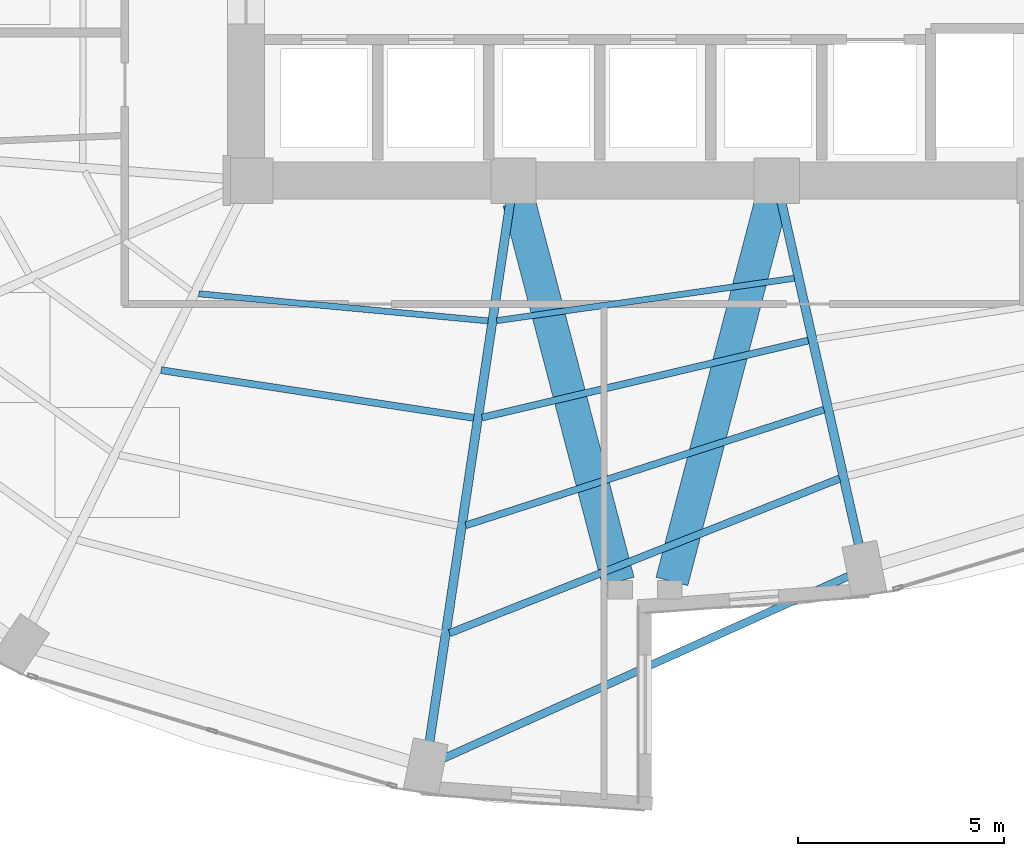
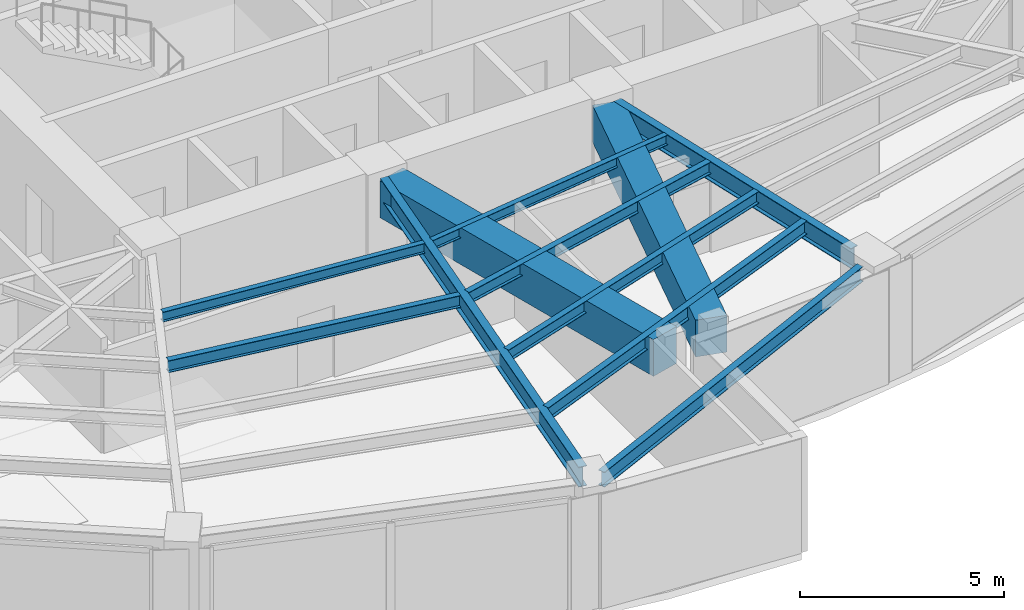
# One storey, part 6 of 24: 11 beams.
"""IFC4 building model written with IfcOpenShell, lengths in metres."""

from ifc_helpers import new_model, si_unit, direction, frame, origin, origin_2d, place, context, subcontext, project, spatial, rectangle, i_section, extrude, material, material_profile, profile_set, type_object, element, save


model = new_model("IFC4")

# Units and contexts
model_context = context("Model", 3, precision=1e-05, world=origin(), true_north=direction((0.0, 1.0)))
body_context = subcontext(model_context, "Body", "Model", "MODEL_VIEW")
ifc_project = project(units=[si_unit("LENGTHUNIT", "METRE"), si_unit("AREAUNIT", "SQUARE_METRE"), si_unit("VOLUMEUNIT", "CUBIC_METRE"), si_unit("PLANEANGLEUNIT", "RADIAN"), si_unit("MASSUNIT", "GRAM", prefix="KILO")], contexts=[model_context])

# Site, building, storey
site_placement = place(None, origin())
site = spatial("IfcSite", under=ifc_project, at=site_placement, CompositionType="ELEMENT")
building_placement = place(site_placement, origin())
building = spatial("IfcBuilding", under=site, at=building_placement, Name="Lazwardi Medical Tower", CompositionType="ELEMENT")
storey_placement = place(building_placement, frame((0.0, 0.0, 39.7919921875)))
storey = spatial("IfcBuildingStorey", under=building, at=storey_placement, Name="L09", CompositionType="ELEMENT", Elevation=39.7919921875)

# Beams
ifc_material_1 = material(Name="Concrete C70/85", Category="concrete")
ifc_material_profile_1 = material_profile(ifc_material_1, rectangle(XDim=0.800048828125, YDim=1.10009765625, at=origin_2d()), Name="RC 800x1100")
ifc_profile_set_1 = profile_set([ifc_material_profile_1], Name="Concrete C70/85")
beam_type_1 = type_object("IfcBeamType", Name="BM-CB-RC1", PredefinedType="LINTEL", material=ifc_profile_set_1)
for number, where, z_axis, x_axis, name in (
    (1, (32.935302734375, 19.88232421875, 2.8779296875), (0.252819877511, -0.967513364009, 0.0), (0.967513364009, 0.252819877511, 0.0), "Core coupling lintel CB-01 PL3 L09"),
    (2, (39.064697265625, 19.88232421875, 2.8779296875), (-0.252819877511, -0.967513364009, 0.0), (0.967513364009, -0.252819877511, 0.0), "Core coupling lintel CB-01 PL4 L09"),
):
    element("IfcBeam", number, at=place(storey_placement, frame(where, z_axis=z_axis, x_axis=x_axis)), inside=storey, type_object=beam_type_1, Name=name, PredefinedType="LINTEL", context=body_context, shape_type="SweptSolid", body=[
        extrude(rectangle(XDim=0.800048828125, YDim=1.10009765625, at=origin_2d()), origin(), (0.0, 0.0, 1.0), 9.538818359375),
    ])
ifc_material_2 = material(Name="Steel S355", Category="steel")
ifc_material_profile_2 = material_profile(ifc_material_2, i_section(OverallWidth=0.219970703125, OverallDepth=0.60009765625, WebThickness=0.011962890625, FlangeThickness=0.01904296875, at=origin_2d()), Name="IPE 600")
ifc_profile_set_2 = profile_set([ifc_material_profile_2], Name="Steel S355")
beam_type_2 = type_object("IfcBeamType", Name="BM-RG-W1", PredefinedType="BEAM", material=ifc_profile_set_2)
beam_1_placement = place(storey_placement, frame((41.203125, 11.521728515625, 3.1279296875), z_axis=(-0.22010079219, 0.975477135189, 0.0), x_axis=(-0.975477135189, -0.22010079219, 0.0)))
element("IfcBeam", 3, at=beam_1_placement, inside=storey, type_object=beam_type_2, Name="Radial girder RG-02 R01 L09", PredefinedType="BEAM", context=body_context, shape_type="SweptSolid", body=[
    extrude(i_section(OverallWidth=0.219970703125, OverallDepth=0.60009765625, WebThickness=0.011962890625, FlangeThickness=0.01904296875, at=origin_2d()), origin(), (0.0, 0.0, 1.0), 8.56640625),
])
beam_2_placement = place(storey_placement, frame((30.7548828125, 6.7294921875, 3.1279296875), z_axis=(0.147944218183, 0.98899570692, 0.0), x_axis=(-0.98899570692, 0.147944218183, 0.0)))
element("IfcBeam", 4, at=beam_2_placement, inside=storey, type_object=beam_type_2, Name="Radial girder RG-02 R16 L09", PredefinedType="BEAM", context=body_context, shape_type="SweptSolid", body=[
    extrude(i_section(OverallWidth=0.219970703125, OverallDepth=0.60009765625, WebThickness=0.011962890625, FlangeThickness=0.01904296875, at=origin_2d()), origin(), (0.0, 0.0, 1.0), 13.28759765625),
])
ifc_material_profile_3 = material_profile(ifc_material_2, i_section(OverallWidth=0.179931640625, OverallDepth=0.39990234375, WebThickness=0.008544921875, FlangeThickness=0.013427734375, at=origin_2d()), Name="IPE 400")
ifc_profile_set_3 = profile_set([ifc_material_profile_3], Name="Steel S355")
beam_type_3 = type_object("IfcBeamType", Name="BM-SJ-01", PredefinedType="JOIST", material=ifc_profile_set_3)
beam_3_placement = place(storey_placement, frame((31.245849609375, 9.396484375, 3.22802734375), z_axis=(0.929663713752, 0.368409255222, 0.0), x_axis=(-0.368409255222, 0.929663713752, 0.0)))
element("IfcBeam", 5, at=beam_3_placement, inside=storey, type_object=beam_type_3, Name="Secondary joist SJ-01 R1 B16 L09", PredefinedType="JOIST", context=body_context, shape_type="SweptSolid", body=[
    extrude(i_section(OverallWidth=0.179931640625, OverallDepth=0.39990234375, WebThickness=0.008544921875, FlangeThickness=0.013427734375, at=origin_2d()), origin(), (0.0, 0.0, 1.0), 10.2001953125),
])
ifc_material_profile_4 = material_profile(ifc_material_2, i_section(OverallWidth=0.169921875, OverallDepth=0.360107421875, WebThickness=0.008056640625, FlangeThickness=0.0126953125, at=origin_2d()), Name="IPE 360")
ifc_profile_set_4 = profile_set([ifc_material_profile_4], Name="Steel S355")
beam_type_4 = type_object("IfcBeamType", Name="BM-SJ-02", PredefinedType="JOIST", material=ifc_profile_set_4)
beam_4_placement = place(storey_placement, frame((31.64111328125, 12.018310546875, 3.248046875), z_axis=(0.951558895485, 0.307466532199, 0.0), x_axis=(-0.307466532199, 0.951558895485, 0.0)))
element("IfcBeam", 6, at=beam_4_placement, inside=storey, type_object=beam_type_4, Name="Secondary joist SJ-02 R2 B16 L09", PredefinedType="JOIST", context=body_context, shape_type="SweptSolid", body=[
    extrude(i_section(OverallWidth=0.169921875, OverallDepth=0.360107421875, WebThickness=0.008056640625, FlangeThickness=0.0126953125, at=origin_2d()), origin(), (0.0, 0.0, 1.0), 9.1513671875),
])
beam_5_placement = place(storey_placement, frame((24.23193359375, 15.790771484375, 3.248046875), z_axis=(0.988535611365, -0.150987897074, 0.0), x_axis=(0.150987897074, 0.988535611365, 0.0)))
element("IfcBeam", 7, at=beam_5_placement, inside=storey, type_object=beam_type_4, Name="Secondary joist SJ-02 R3 B15 L09", PredefinedType="JOIST", context=body_context, shape_type="SweptSolid", body=[
    extrude(i_section(OverallWidth=0.169921875, OverallDepth=0.360107421875, WebThickness=0.008056640625, FlangeThickness=0.0126953125, at=origin_2d()), origin(), (0.0, 0.0, 1.0), 7.68701171875),
])
beam_6_placement = place(storey_placement, frame((32.03662109375, 14.638427734375, 3.248046875), z_axis=(0.973240904247, 0.229787167397, 0.0), x_axis=(-0.229787167397, 0.973240904247, 0.0)))
element("IfcBeam", 8, at=beam_6_placement, inside=storey, type_object=beam_type_4, Name="Secondary joist SJ-02 R3 B16 L09", PredefinedType="JOIST", context=body_context, shape_type="SweptSolid", body=[
    extrude(i_section(OverallWidth=0.169921875, OverallDepth=0.360107421875, WebThickness=0.008056640625, FlangeThickness=0.0126953125, at=origin_2d()), origin(), (0.0, 0.0, 1.0), 8.151123046875),
])
ifc_material_profile_5 = material_profile(ifc_material_2, i_section(OverallWidth=0.14990234375, OverallDepth=0.300048828125, WebThickness=0.007080078125, FlangeThickness=0.0107421875, at=origin_2d()), Name="IPE 300")
ifc_profile_set_5 = profile_set([ifc_material_profile_5], Name="Steel S355")
beam_type_5 = type_object("IfcBeamType", Name="BM-SJ-03", PredefinedType="JOIST", material=ifc_profile_set_5)
beam_7_placement = place(storey_placement, frame((25.148193359375, 17.64794921875, 3.278076171875), z_axis=(0.995649263748, -0.093180167407, 0.0), x_axis=(0.093180167407, 0.995649263748, 0.0)))
element("IfcBeam", 9, at=beam_7_placement, inside=storey, type_object=beam_type_5, Name="Secondary joist SJ-03 R4 B15 L09", PredefinedType="JOIST", context=body_context, shape_type="SweptSolid", body=[
    extrude(i_section(OverallWidth=0.14990234375, OverallDepth=0.300048828125, WebThickness=0.007080078125, FlangeThickness=0.0107421875, at=origin_2d()), origin(), (0.0, 0.0, 1.0), 7.06640625),
])
beam_8_placement = place(storey_placement, frame((32.392333984375, 16.99462890625, 3.278076171875), z_axis=(0.99001552228, 0.140958382672, 0.0), x_axis=(-0.140958382672, 0.99001552228, 0.0)))
element("IfcBeam", 10, at=beam_8_placement, inside=storey, type_object=beam_type_5, Name="Secondary joist SJ-03 R4 B16 L09", PredefinedType="JOIST", context=body_context, shape_type="SweptSolid", body=[
    extrude(i_section(OverallWidth=0.14990234375, OverallDepth=0.300048828125, WebThickness=0.007080078125, FlangeThickness=0.0107421875, at=origin_2d()), origin(), (0.0, 0.0, 1.0), 7.30908203125),
])
ifc_material_profile_6 = material_profile(ifc_material_2, i_section(OverallWidth=0.18994140625, OverallDepth=0.449951171875, WebThickness=0.009521484375, FlangeThickness=0.0146484375, at=origin_2d()), Name="IPE 450")
ifc_profile_set_6 = profile_set([ifc_material_profile_6], Name="Steel S355")
beam_type_6 = type_object("IfcBeamType", Name="BM-SP-01", PredefinedType="SPANDREL", material=ifc_profile_set_6)
beam_9_placement = place(storey_placement, frame((31.05224609375, 6.328369140625, 3.203125), z_axis=(0.91184908894, 0.410525564368, 0.0), x_axis=(-0.410525564368, 0.91184908894, 0.0)))
element("IfcBeam", 11, at=beam_9_placement, inside=storey, type_object=beam_type_6, Name="Spandrel beam SP-01 B16 L09", PredefinedType="SPANDREL", context=body_context, shape_type="SweptSolid", body=[
    extrude(i_section(OverallWidth=0.18994140625, OverallDepth=0.449951171875, WebThickness=0.009521484375, FlangeThickness=0.0146484375, at=origin_2d()), origin(), (0.0, 0.0, 1.0), 10.85205078125),
])

save(model, "model.ifc")
